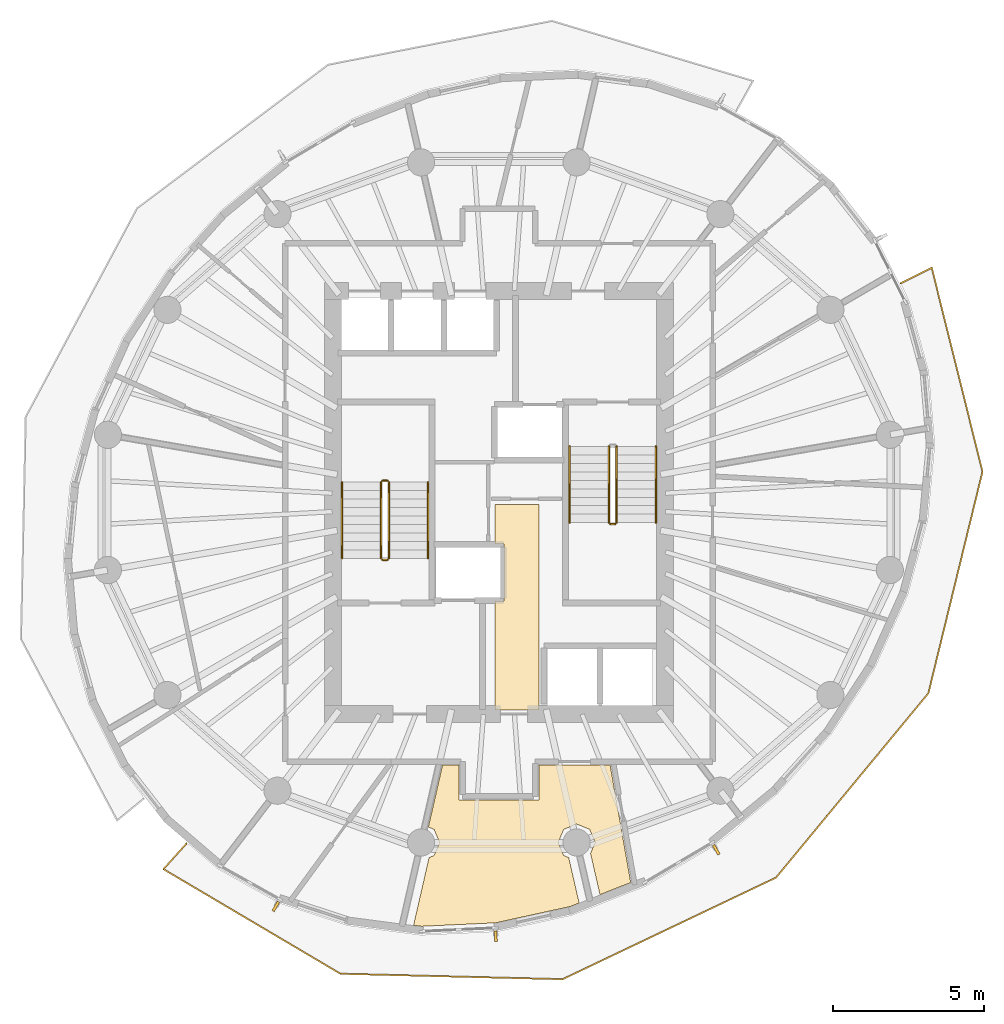
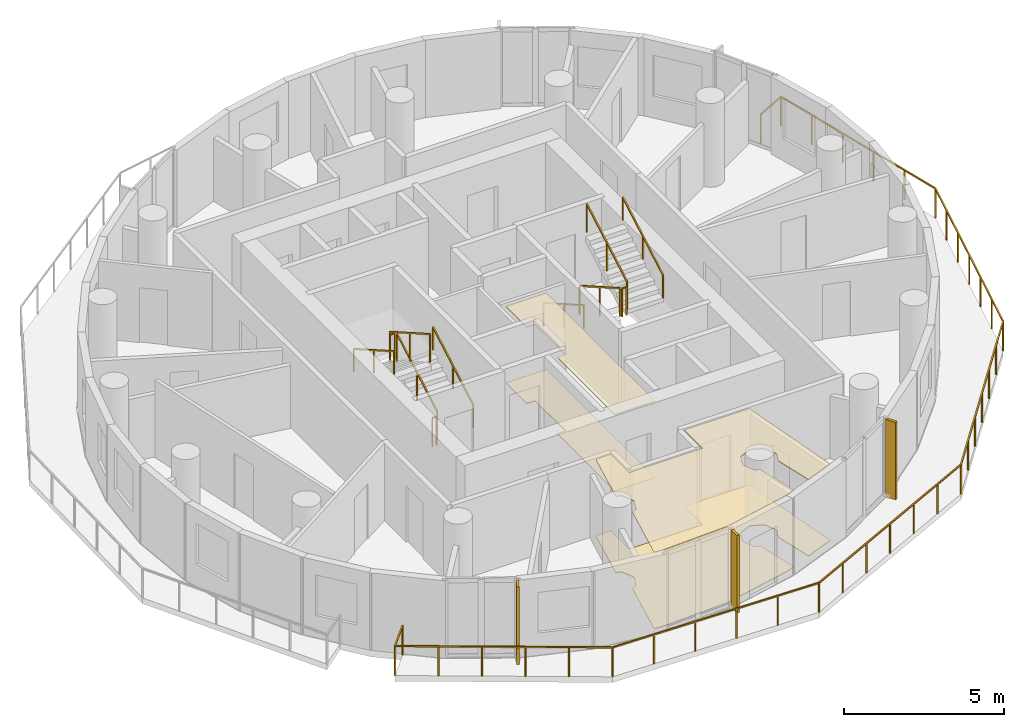
# One storey, part 8 of 10: 12 railings, 4 coverings, 3 shading devices.
"""IFC4 building model written with IfcOpenShell, lengths in metres."""

from ifc_helpers import new_model, si_unit, direction, frame, origin, origin_2d, place, context, subcontext, project, spatial, polyline, rectangle, outline, extrude, material, layer, layer_set, type_object, element, save


model = new_model("IFC4")

# Units and contexts
model_context = context("Model", 3, precision=1e-05, world=origin(), true_north=direction((0.0, 1.0)))
body_context = subcontext(model_context, "Body", "Model", "MODEL_VIEW")
ifc_project = project(units=[si_unit("LENGTHUNIT", "METRE"), si_unit("AREAUNIT", "SQUARE_METRE"), si_unit("VOLUMEUNIT", "CUBIC_METRE"), si_unit("PLANEANGLEUNIT", "RADIAN"), si_unit("MASSUNIT", "GRAM", prefix="KILO")], contexts=[model_context])

# Site, building, storey
site_placement = place(None, origin())
site = spatial("IfcSite", under=ifc_project, at=site_placement, CompositionType="ELEMENT")
building_placement = place(site_placement, origin())
building = spatial("IfcBuilding", under=site, at=building_placement, Name="Veldorim Arch Residences", CompositionType="ELEMENT")
storey_placement = place(building_placement, frame((0.0, 0.0, 182.239990234375)))
storey = spatial("IfcBuildingStorey", under=building, at=storey_placement, Name="L54", CompositionType="ELEMENT", Elevation=182.239990234375)

# Railings
ifc_material_1 = material(Name="Aluminium", Category="aluminium")
railing_type_1 = type_object("IfcRailingType", Name="Balcony & Terrace Laminated Glass Balustrade 1150", PredefinedType="BALUSTRADE", material=ifc_material_1)
railing_1_placement = place(storey_placement, frame((21.658935546875, 12.711669921875, 0.0)))
element("IfcRailing", 1, at=railing_1_placement, inside=storey, type_object=railing_type_1, Name="L54 crescent balcony safety balustrade B", PredefinedType="BALUSTRADE", context=body_context, shape_type="SweptSolid", body=[
    extrude(rectangle(XDim=0.048095703125, YDim=0.048095703125, at=origin_2d()), frame((0.0, 0.0, 1.1259765625), z_axis=(-0.66808459796, -0.744085324388, 0.0), x_axis=(0.744085324388, -0.66808459796, 0.0)), (0.0, 0.0, 1.0), 1.14990234375),
    extrude(rectangle(XDim=0.048095703125, YDim=0.048095703125, at=origin_2d()), frame((-0.768310546875, -0.855712890625, 1.1259765625), z_axis=(0.860900116689, -0.508774005906, 0.0), x_axis=(0.508774005906, 0.860900116689, 0.0)), (0.0, 0.0, 1.0), 6.809326171875),
    extrude(rectangle(XDim=0.048095703125, YDim=0.048095703125, at=origin_2d()), frame((5.09375, -4.320068359375, 1.1259765625), z_axis=(0.999695984702, -0.024656402212, 0.0), x_axis=(0.024656402212, 0.999695984702, 0.0)), (0.0, 0.0, 1.0), 7.35693359375),
    extrude(rectangle(XDim=0.048095703125, YDim=0.048095703125, at=origin_2d()), frame((12.448486328125, -4.50146484375, 1.1259765625), z_axis=(0.902919863623, 0.42980893415, 0.0), x_axis=(-0.42980893415, 0.902919863623, 0.0)), (0.0, 0.0, 1.0), 7.831298828125),
    extrude(rectangle(XDim=0.048095703125, YDim=0.048095703125, at=origin_2d()), frame((19.51953125, -1.135498046875, 1.1259765625), z_axis=(0.637052723353, 0.770820230449, 0.0), x_axis=(-0.770820230449, 0.637052723353, 0.0)), (0.0, 0.0, 1.0), 7.919189453125),
    extrude(rectangle(XDim=0.048095703125, YDim=0.048095703125, at=origin_2d()), frame((24.564453125, 4.96875, 1.1259765625), z_axis=(0.237118344411, 0.971480772195, 0.0), x_axis=(-0.971480772195, 0.237118344411, 0.0)), (0.0, 0.0, 1.0), 7.555419921875),
    extrude(rectangle(XDim=0.048095703125, YDim=0.048095703125, at=origin_2d()), frame((26.35595703125, 12.30859375, 1.1259765625), z_axis=(-0.241635413505, 0.970367109367, 0.0), x_axis=(-0.970367109367, -0.241635413505, 0.0)), (0.0, 0.0, 1.0), 6.956298828125),
    extrude(rectangle(XDim=0.048095703125, YDim=0.048095703125, at=origin_2d()), frame((24.675048828125, 19.058837890625, 1.1259765625), z_axis=(-0.895105555881, -0.445854285424, 0.0), x_axis=(0.445854285424, -0.895105555881, 0.0)), (0.0, 0.0, 1.0), 1.14990234375),
    extrude(rectangle(XDim=0.0419921875, YDim=0.0419921875, at=origin_2d()), origin(), (0.0, 0.0, 1.0), 1.101806640625),
    extrude(rectangle(XDim=0.0419921875, YDim=0.0419921875, at=origin_2d()), frame((-0.768310546875, -0.855712890625, 0.0)), (0.0, 0.0, 1.0), 1.101806640625),
    extrude(rectangle(XDim=0.0419921875, YDim=0.0419921875, at=origin_2d()), frame((0.404052734375, -1.548583984375, 0.0)), (0.0, 0.0, 1.0), 1.101806640625),
    extrude(rectangle(XDim=0.0419921875, YDim=0.0419921875, at=origin_2d()), frame((1.576416015625, -2.241455078125, 0.0)), (0.0, 0.0, 1.0), 1.101806640625),
    extrude(rectangle(XDim=0.0419921875, YDim=0.0419921875, at=origin_2d()), frame((2.7490234375, -2.934326171875, 0.0)), (0.0, 0.0, 1.0), 1.101806640625),
    extrude(rectangle(XDim=0.0419921875, YDim=0.0419921875, at=origin_2d()), frame((3.92138671875, -3.627197265625, 0.0)), (0.0, 0.0, 1.0), 1.101806640625),
    extrude(rectangle(XDim=0.0419921875, YDim=0.0419921875, at=origin_2d()), frame((5.09375, -4.320068359375, 0.0)), (0.0, 0.0, 1.0), 1.101806640625),
    extrude(rectangle(XDim=0.0419921875, YDim=0.0419921875, at=origin_2d()), frame((6.564697265625, -4.3564453125, 0.0)), (0.0, 0.0, 1.0), 1.101806640625),
    extrude(rectangle(XDim=0.0419921875, YDim=0.0419921875, at=origin_2d()), frame((8.03564453125, -4.392578125, 0.0)), (0.0, 0.0, 1.0), 1.101806640625),
    extrude(rectangle(XDim=0.0419921875, YDim=0.0419921875, at=origin_2d()), frame((9.506591796875, -4.428955078125, 0.0)), (0.0, 0.0, 1.0), 1.101806640625),
    extrude(rectangle(XDim=0.0419921875, YDim=0.0419921875, at=origin_2d()), frame((10.9775390625, -4.465087890625, 0.0)), (0.0, 0.0, 1.0), 1.101806640625),
    extrude(rectangle(XDim=0.0419921875, YDim=0.0419921875, at=origin_2d()), frame((12.448486328125, -4.50146484375, 0.0)), (0.0, 0.0, 1.0), 1.101806640625),
    extrude(rectangle(XDim=0.0419921875, YDim=0.0419921875, at=origin_2d()), frame((13.626953125, -3.9404296875, 0.0)), (0.0, 0.0, 1.0), 1.101806640625),
    extrude(rectangle(XDim=0.0419921875, YDim=0.0419921875, at=origin_2d()), frame((14.805419921875, -3.37939453125, 0.0)), (0.0, 0.0, 1.0), 1.101806640625),
    extrude(rectangle(XDim=0.0419921875, YDim=0.0419921875, at=origin_2d()), frame((15.98388671875, -2.818359375, 0.0)), (0.0, 0.0, 1.0), 1.101806640625),
    extrude(rectangle(XDim=0.0419921875, YDim=0.0419921875, at=origin_2d()), frame((17.16259765625, -2.257568359375, 0.0)), (0.0, 0.0, 1.0), 1.101806640625),
    extrude(rectangle(XDim=0.0419921875, YDim=0.0419921875, at=origin_2d()), frame((18.341064453125, -1.696533203125, 0.0)), (0.0, 0.0, 1.0), 1.101806640625),
    extrude(rectangle(XDim=0.0419921875, YDim=0.0419921875, at=origin_2d()), frame((19.51953125, -1.135498046875, 0.0)), (0.0, 0.0, 1.0), 1.101806640625),
    extrude(rectangle(XDim=0.0419921875, YDim=0.0419921875, at=origin_2d()), frame((20.3603515625, -0.1181640625, 0.0)), (0.0, 0.0, 1.0), 1.101806640625),
    extrude(rectangle(XDim=0.0419921875, YDim=0.0419921875, at=origin_2d()), frame((21.201171875, 0.899169921875, 0.0)), (0.0, 0.0, 1.0), 1.101806640625),
    extrude(rectangle(XDim=0.0419921875, YDim=0.0419921875, at=origin_2d()), frame((22.0419921875, 1.91650390625, 0.0)), (0.0, 0.0, 1.0), 1.101806640625),
    extrude(rectangle(XDim=0.0419921875, YDim=0.0419921875, at=origin_2d()), frame((22.8828125, 2.93408203125, 0.0)), (0.0, 0.0, 1.0), 1.101806640625),
    extrude(rectangle(XDim=0.0419921875, YDim=0.0419921875, at=origin_2d()), frame((23.7236328125, 3.951416015625, 0.0)), (0.0, 0.0, 1.0), 1.101806640625),
    extrude(rectangle(XDim=0.0419921875, YDim=0.0419921875, at=origin_2d()), frame((24.564453125, 4.96875, 0.0)), (0.0, 0.0, 1.0), 1.101806640625),
    extrude(rectangle(XDim=0.0419921875, YDim=0.0419921875, at=origin_2d()), frame((24.863037109375, 6.192138671875, 0.0)), (0.0, 0.0, 1.0), 1.101806640625),
    extrude(rectangle(XDim=0.0419921875, YDim=0.0419921875, at=origin_2d()), frame((25.16162109375, 7.415283203125, 0.0)), (0.0, 0.0, 1.0), 1.101806640625),
    extrude(rectangle(XDim=0.0419921875, YDim=0.0419921875, at=origin_2d()), frame((25.460205078125, 8.638671875, 0.0)), (0.0, 0.0, 1.0), 1.101806640625),
    extrude(rectangle(XDim=0.0419921875, YDim=0.0419921875, at=origin_2d()), frame((25.7587890625, 9.862060546875, 0.0)), (0.0, 0.0, 1.0), 1.101806640625),
    extrude(rectangle(XDim=0.0419921875, YDim=0.0419921875, at=origin_2d()), frame((26.057373046875, 11.085205078125, 0.0)), (0.0, 0.0, 1.0), 1.101806640625),
    extrude(rectangle(XDim=0.0419921875, YDim=0.0419921875, at=origin_2d()), frame((26.35595703125, 12.30859375, 0.0)), (0.0, 0.0, 1.0), 1.101806640625),
    extrude(rectangle(XDim=0.0419921875, YDim=0.0419921875, at=origin_2d()), frame((26.019775390625, 13.65869140625, 0.0)), (0.0, 0.0, 1.0), 1.101806640625),
    extrude(rectangle(XDim=0.0419921875, YDim=0.0419921875, at=origin_2d()), frame((25.68359375, 15.0087890625, 0.0)), (0.0, 0.0, 1.0), 1.101806640625),
    extrude(rectangle(XDim=0.0419921875, YDim=0.0419921875, at=origin_2d()), frame((25.347412109375, 16.358642578125, 0.0)), (0.0, 0.0, 1.0), 1.101806640625),
    extrude(rectangle(XDim=0.0419921875, YDim=0.0419921875, at=origin_2d()), frame((25.01123046875, 17.708740234375, 0.0)), (0.0, 0.0, 1.0), 1.101806640625),
    extrude(rectangle(XDim=0.0419921875, YDim=0.0419921875, at=origin_2d()), frame((24.675048828125, 19.058837890625, 0.0)), (0.0, 0.0, 1.0), 1.101806640625),
    extrude(rectangle(XDim=0.0419921875, YDim=0.0419921875, at=origin_2d()), frame((23.645751953125, 18.546142578125, 0.0)), (0.0, 0.0, 1.0), 1.101806640625),
])
ifc_material_2 = material(Name="Steel S355", Category="steel")
railing_type_2 = type_object("IfcRailingType", Name="Galvanised Steel Stair Safety Guardrail 1100", PredefinedType="GUARDRAIL", material=ifc_material_2)
railing_2_placement = place(storey_placement, frame((28.360107421875, 22.14990234375, 0.159912109375)))
element("IfcRailing", 2, at=railing_2_placement, inside=storey, type_object=railing_type_2, Name="L54 ST-1 stair guard 1", PredefinedType="GUARDRAIL", context=body_context, shape_type="SweptSolid", body=[
    extrude(rectangle(XDim=0.048095703125, YDim=0.048095703125, at=origin_2d()), frame((0.0, 0.0, 1.076171875), z_axis=(0.0, 0.868217259934, 0.496184229447), x_axis=(-1.0, 0.0, 0.0)), (0.0, 0.0, 1.0), 2.902587890625),
    extrude(rectangle(XDim=0.0419921875, YDim=0.0419921875, at=origin_2d()), origin(), (0.0, 0.0, 1.0), 1.052001953125),
    extrude(rectangle(XDim=0.0419921875, YDim=0.0419921875, at=origin_2d()), frame((0.0, 1.260009765625, 0.72021484375)), (0.0, 0.0, 1.0), 1.052001953125),
    extrude(rectangle(XDim=0.0419921875, YDim=0.0419921875, at=origin_2d()), frame((0.0, 2.52001953125, 1.440185546875)), (0.0, 0.0, 1.0), 1.052001953125),
])
railing_3_placement = place(storey_placement, frame((28.31005859375, 24.719970703125, 1.60009765625)))
element("IfcRailing", 3, at=railing_3_placement, inside=storey, type_object=railing_type_2, Name="L54 ST-1 stair guard 2", PredefinedType="GUARDRAIL", context=body_context, shape_type="SweptSolid", body=[
    extrude(rectangle(XDim=0.048095703125, YDim=0.048095703125, at=origin_2d()), frame((0.0, 0.0, 1.076171875), z_axis=(-1.0, 0.0, 0.0), x_axis=(0.0, -1.0, 0.0)), (0.0, 0.0, 1.0), 0.16015625),
    extrude(rectangle(XDim=0.0419921875, YDim=0.0419921875, at=origin_2d()), origin(), (0.0, 0.0, 1.0), 1.052001953125),
    extrude(rectangle(XDim=0.0419921875, YDim=0.0419921875, at=origin_2d()), frame((-0.16015625, 0.0, 0.0)), (0.0, 0.0, 1.0), 1.052001953125),
])
railing_4_placement = place(storey_placement, frame((28.10009765625, 24.669921875, 1.760009765625)))
element("IfcRailing", 4, at=railing_4_placement, inside=storey, type_object=railing_type_2, Name="L54 ST-1 stair guard 3", PredefinedType="GUARDRAIL", context=body_context, shape_type="SweptSolid", body=[
    extrude(rectangle(XDim=0.048095703125, YDim=0.048095703125, at=origin_2d()), frame((0.0, 0.0, 1.076171875), z_axis=(0.0, -0.868253494771, 0.496120820787), x_axis=(1.0, 0.0, 0.0)), (0.0, 0.0, 1.0), 2.90234375),
    extrude(rectangle(XDim=0.0419921875, YDim=0.0419921875, at=origin_2d()), origin(), (0.0, 0.0, 1.0), 1.052001953125),
    extrude(rectangle(XDim=0.0419921875, YDim=0.0419921875, at=origin_2d()), frame((0.0, -1.260009765625, 0.719970703125)), (0.0, 0.0, 1.0), 1.052001953125),
    extrude(rectangle(XDim=0.0419921875, YDim=0.0419921875, at=origin_2d()), frame((0.0, -2.52001953125, 1.43994140625)), (0.0, 0.0, 1.0), 1.052001953125),
])
railing_5_placement = place(storey_placement, frame((28.31005859375, 22.10009765625, 0.0)))
element("IfcRailing", 5, at=railing_5_placement, inside=storey, type_object=railing_type_2, Name="L54 ST-1 stair guard 4", PredefinedType="GUARDRAIL", context=body_context, shape_type="SweptSolid", body=[
    extrude(rectangle(XDim=0.048095703125, YDim=0.048095703125, at=origin_2d()), frame((0.0, 0.0, 1.076171875), z_axis=(-1.0, 0.0, 0.0), x_axis=(0.0, -1.0, 0.0)), (0.0, 0.0, 1.0), 0.16015625),
    extrude(rectangle(XDim=0.0419921875, YDim=0.0419921875, at=origin_2d()), origin(), (0.0, 0.0, 1.0), 1.052001953125),
    extrude(rectangle(XDim=0.0419921875, YDim=0.0419921875, at=origin_2d()), frame((-0.16015625, 0.0, 0.0)), (0.0, 0.0, 1.0), 1.052001953125),
])
railing_6_placement = place(storey_placement, frame((35.639892578125, 25.85009765625, 0.159912109375)))
element("IfcRailing", 6, at=railing_6_placement, inside=storey, type_object=railing_type_2, Name="L54 ST-2 stair guard 1", PredefinedType="GUARDRAIL", context=body_context, shape_type="SweptSolid", body=[
    extrude(rectangle(XDim=0.048095703125, YDim=0.048095703125, at=origin_2d()), frame((0.0, 0.0, 1.076171875), z_axis=(0.0, -0.868217259934, 0.496184229447), x_axis=(1.0, 0.0, 0.0)), (0.0, 0.0, 1.0), 2.902587890625),
    extrude(rectangle(XDim=0.0419921875, YDim=0.0419921875, at=origin_2d()), origin(), (0.0, 0.0, 1.0), 1.052001953125),
    extrude(rectangle(XDim=0.0419921875, YDim=0.0419921875, at=origin_2d()), frame((0.0, -1.260009765625, 0.72021484375)), (0.0, 0.0, 1.0), 1.052001953125),
    extrude(rectangle(XDim=0.0419921875, YDim=0.0419921875, at=origin_2d()), frame((0.0, -2.52001953125, 1.440185546875)), (0.0, 0.0, 1.0), 1.052001953125),
])
railing_7_placement = place(storey_placement, frame((35.68994140625, 23.280029296875, 1.60009765625)))
element("IfcRailing", 7, at=railing_7_placement, inside=storey, type_object=railing_type_2, Name="L54 ST-2 stair guard 2", PredefinedType="GUARDRAIL", context=body_context, shape_type="SweptSolid", body=[
    extrude(rectangle(XDim=0.048095703125, YDim=0.048095703125, at=origin_2d()), frame((0.0, 0.0, 1.076171875), z_axis=(1.0, 0.0, 0.0), x_axis=(0.0, 1.0, 0.0)), (0.0, 0.0, 1.0), 0.16015625),
    extrude(rectangle(XDim=0.0419921875, YDim=0.0419921875, at=origin_2d()), origin(), (0.0, 0.0, 1.0), 1.052001953125),
    extrude(rectangle(XDim=0.0419921875, YDim=0.0419921875, at=origin_2d()), frame((0.16015625, 0.0, 0.0)), (0.0, 0.0, 1.0), 1.052001953125),
])
railing_8_placement = place(storey_placement, frame((35.89990234375, 23.330078125, 1.760009765625)))
element("IfcRailing", 8, at=railing_8_placement, inside=storey, type_object=railing_type_2, Name="L54 ST-2 stair guard 3", PredefinedType="GUARDRAIL", context=body_context, shape_type="SweptSolid", body=[
    extrude(rectangle(XDim=0.048095703125, YDim=0.048095703125, at=origin_2d()), frame((0.0, 0.0, 1.076171875), z_axis=(0.0, 0.868253494771, 0.496120820787), x_axis=(-1.0, 0.0, 0.0)), (0.0, 0.0, 1.0), 2.90234375),
    extrude(rectangle(XDim=0.0419921875, YDim=0.0419921875, at=origin_2d()), origin(), (0.0, 0.0, 1.0), 1.052001953125),
    extrude(rectangle(XDim=0.0419921875, YDim=0.0419921875, at=origin_2d()), frame((0.0, 1.260009765625, 0.719970703125)), (0.0, 0.0, 1.0), 1.052001953125),
    extrude(rectangle(XDim=0.0419921875, YDim=0.0419921875, at=origin_2d()), frame((0.0, 2.52001953125, 1.43994140625)), (0.0, 0.0, 1.0), 1.052001953125),
])

# Coverings
ifc_material_3 = material(Name="Acoustic Gypsum & Mineral Fibre", Category="gypsum")
ifc_layer_1 = layer(ifc_material_3, 0.034912109375, Name="Perforated Acoustic Mineral-Fibre Ceiling 35")
ifc_layer_set_1 = layer_set([ifc_layer_1], Name="Acoustic Gypsum & Mineral Fibre")
covering_type_1 = type_object("IfcCoveringType", Name="Perforated Acoustic Mineral-Fibre Ceiling 35", PredefinedType="CEILING", material=ifc_layer_set_1)
covering_1_placement = place(storey_placement, frame((0.0, 0.0, 2.905029296875)))
element("IfcCovering", 9, at=covering_1_placement, inside=storey, type_object=covering_type_1, Name="L54 acoustic suspended ceiling 01", PredefinedType="CEILING", context=body_context, shape_type="SweptSolid", body=[
    extrude(outline(polyline([(33.330078125, 23.929931640625), (33.330078125, 17.1201171875), (31.8701171875, 17.1201171875), (31.8701171875, 20.735107421875), (32.169921875, 20.735107421875), (32.169921875, 22.625), (31.8701171875, 22.625), (31.8701171875, 23.929931640625), (33.330078125, 23.929931640625)])), origin(), (0.0, 0.0, 1.0), 0.034912109375),
])
covering_2_placement = place(storey_placement, frame((0.0, 0.0, 2.905029296875)))
element("IfcCovering", 10, at=covering_2_placement, inside=storey, type_object=covering_type_1, Name="L54 acoustic suspended ceiling 02", PredefinedType="CEILING", context=body_context, shape_type="SweptSolid", body=[
    extrude(outline(polyline([(35.18505859375, 12.740478515625), (35.006591796875, 13.171875), (34.5751953125, 13.3505859375), (34.143798828125, 13.171875), (33.96533203125, 12.740478515625), (34.143798828125, 12.309326171875), (34.312744140625, 12.239501953125), (34.65625, 10.73779296875), (34.350830078125, 10.61669921875), (31.89111328125, 10.078369140625), (29.4365234375, 9.963623046875), (29.174560546875, 9.998046875), (29.687255859375, 12.239501953125), (29.856201171875, 12.309326171875), (30.03466796875, 12.740478515625), (29.856201171875, 13.171875), (29.664794921875, 13.251220703125), (30.13330078125, 15.300048828125), (30.679931640625, 15.300048828125), (30.679931640625, 14.14990234375), (33.320068359375, 14.14990234375), (33.320068359375, 15.300048828125), (35.684326171875, 15.300048828125), (36.365234375, 11.414794921875), (35.34765625, 11.01171875), (35.034912109375, 12.37841796875), (35.18505859375, 12.740478515625)])), origin(), (0.0, 0.0, 1.0), 0.034912109375),
])
ifc_material_4 = material(Name="Porcelain Ceramic Tile", Category="ceramic")
ifc_layer_2 = layer(ifc_material_4, 0.02001953125, Name="Slip-Resistant Porcelain & Vinyl Floor Finish 20")
ifc_layer_set_2 = layer_set([ifc_layer_2], Name="Porcelain Ceramic Tile")
covering_type_2 = type_object("IfcCoveringType", Name="Slip-Resistant Porcelain & Vinyl Floor Finish 20", PredefinedType="FLOORING", material=ifc_layer_set_2)
covering_3_placement = place(storey_placement, origin())
element("IfcCovering", 11, at=covering_3_placement, inside=storey, type_object=covering_type_2, Name="L54 porcelain floor finish 01", PredefinedType="FLOORING", context=body_context, shape_type="SweptSolid", body=[
    extrude(outline(polyline([(33.330078125, 23.929931640625), (33.330078125, 17.1201171875), (31.8701171875, 17.1201171875), (31.8701171875, 20.735107421875), (32.169921875, 20.735107421875), (32.169921875, 22.625), (31.8701171875, 22.625), (31.8701171875, 23.929931640625), (33.330078125, 23.929931640625)])), origin(), (0.0, 0.0, 1.0), 0.02001953125),
])
covering_4_placement = place(storey_placement, origin())
element("IfcCovering", 12, at=covering_4_placement, inside=storey, type_object=covering_type_2, Name="L54 porcelain floor finish 02", PredefinedType="FLOORING", context=body_context, shape_type="SweptSolid", body=[
    extrude(outline(polyline([(35.18505859375, 12.740478515625), (35.006591796875, 13.171875), (34.5751953125, 13.3505859375), (34.143798828125, 13.171875), (33.96533203125, 12.740478515625), (34.143798828125, 12.309326171875), (34.312744140625, 12.239501953125), (34.65625, 10.73779296875), (34.350830078125, 10.61669921875), (31.89111328125, 10.078369140625), (29.4365234375, 9.963623046875), (29.174560546875, 9.998046875), (29.687255859375, 12.239501953125), (29.856201171875, 12.309326171875), (30.03466796875, 12.740478515625), (29.856201171875, 13.171875), (29.664794921875, 13.251220703125), (30.13330078125, 15.300048828125), (30.679931640625, 15.300048828125), (30.679931640625, 14.14990234375), (33.320068359375, 14.14990234375), (33.320068359375, 15.300048828125), (35.684326171875, 15.300048828125), (36.365234375, 11.414794921875), (35.34765625, 11.01171875), (35.034912109375, 12.37841796875), (35.18505859375, 12.740478515625)])), origin(), (0.0, 0.0, 1.0), 0.02001953125),
])

# Railings
ifc_material_5 = material(Name="Stainless Steel", Category="steel")
railing_type_3 = type_object("IfcRailingType", Name="Tubular Steel Continuous Wall Handrail 900", PredefinedType="HANDRAIL", material=ifc_material_5)
railing_9_placement = place(storey_placement, frame((29.659912109375, 22.14990234375, 0.159912109375)))
element("IfcRailing", 13, at=railing_9_placement, inside=storey, type_object=railing_type_3, Name="L54 ST-1 stair handrail 1", PredefinedType="HANDRAIL", context=body_context, shape_type="SweptSolid", body=[
    extrude(rectangle(XDim=0.048095703125, YDim=0.048095703125, at=origin_2d()), frame((0.0, 0.0, 0.8759765625), z_axis=(0.0, 0.868217259934, 0.496184229447), x_axis=(-1.0, 0.0, 0.0)), (0.0, 0.0, 1.0), 2.902587890625),
    extrude(rectangle(XDim=0.0419921875, YDim=0.0419921875, at=origin_2d()), origin(), (0.0, 0.0, 1.0), 0.851806640625),
    extrude(rectangle(XDim=0.0419921875, YDim=0.0419921875, at=origin_2d()), frame((0.0, 1.260009765625, 0.72021484375)), (0.0, 0.0, 1.0), 0.851806640625),
    extrude(rectangle(XDim=0.0419921875, YDim=0.0419921875, at=origin_2d()), frame((0.0, 2.52001953125, 1.440185546875)), (0.0, 0.0, 1.0), 0.851806640625),
])
railing_10_placement = place(storey_placement, frame((26.800048828125, 24.669921875, 1.760009765625)))
element("IfcRailing", 14, at=railing_10_placement, inside=storey, type_object=railing_type_3, Name="L54 ST-1 stair handrail 2", PredefinedType="HANDRAIL", context=body_context, shape_type="SweptSolid", body=[
    extrude(rectangle(XDim=0.048095703125, YDim=0.048095703125, at=origin_2d()), frame((0.0, 0.0, 0.8759765625), z_axis=(0.0, -0.868253494771, 0.496120820787), x_axis=(1.0, 0.0, 0.0)), (0.0, 0.0, 1.0), 2.90234375),
    extrude(rectangle(XDim=0.0419921875, YDim=0.0419921875, at=origin_2d()), origin(), (0.0, 0.0, 1.0), 0.851806640625),
    extrude(rectangle(XDim=0.0419921875, YDim=0.0419921875, at=origin_2d()), frame((0.0, -1.260009765625, 0.719970703125)), (0.0, 0.0, 1.0), 0.851806640625),
    extrude(rectangle(XDim=0.0419921875, YDim=0.0419921875, at=origin_2d()), frame((0.0, -2.52001953125, 1.43994140625)), (0.0, 0.0, 1.0), 0.851806640625),
])
railing_11_placement = place(storey_placement, frame((34.340087890625, 25.85009765625, 0.159912109375)))
element("IfcRailing", 15, at=railing_11_placement, inside=storey, type_object=railing_type_3, Name="L54 ST-2 stair handrail 1", PredefinedType="HANDRAIL", context=body_context, shape_type="SweptSolid", body=[
    extrude(rectangle(XDim=0.048095703125, YDim=0.048095703125, at=origin_2d()), frame((0.0, 0.0, 0.8759765625), z_axis=(0.0, -0.868217259934, 0.496184229447), x_axis=(1.0, 0.0, 0.0)), (0.0, 0.0, 1.0), 2.902587890625),
    extrude(rectangle(XDim=0.0419921875, YDim=0.0419921875, at=origin_2d()), origin(), (0.0, 0.0, 1.0), 0.851806640625),
    extrude(rectangle(XDim=0.0419921875, YDim=0.0419921875, at=origin_2d()), frame((0.0, -1.260009765625, 0.72021484375)), (0.0, 0.0, 1.0), 0.851806640625),
    extrude(rectangle(XDim=0.0419921875, YDim=0.0419921875, at=origin_2d()), frame((0.0, -2.52001953125, 1.440185546875)), (0.0, 0.0, 1.0), 0.851806640625),
])
railing_12_placement = place(storey_placement, frame((37.199951171875, 23.330078125, 1.760009765625)))
element("IfcRailing", 16, at=railing_12_placement, inside=storey, type_object=railing_type_3, Name="L54 ST-2 stair handrail 2", PredefinedType="HANDRAIL", context=body_context, shape_type="SweptSolid", body=[
    extrude(rectangle(XDim=0.048095703125, YDim=0.048095703125, at=origin_2d()), frame((0.0, 0.0, 0.8759765625), z_axis=(0.0, 0.868253494771, 0.496120820787), x_axis=(-1.0, 0.0, 0.0)), (0.0, 0.0, 1.0), 2.90234375),
    extrude(rectangle(XDim=0.0419921875, YDim=0.0419921875, at=origin_2d()), origin(), (0.0, 0.0, 1.0), 0.851806640625),
    extrude(rectangle(XDim=0.0419921875, YDim=0.0419921875, at=origin_2d()), frame((0.0, 1.260009765625, 0.719970703125)), (0.0, 0.0, 1.0), 0.851806640625),
    extrude(rectangle(XDim=0.0419921875, YDim=0.0419921875, at=origin_2d()), frame((0.0, 2.52001953125, 1.43994140625)), (0.0, 0.0, 1.0), 0.851806640625),
])

# Shading devices
ifc_material_6 = material(Name="Terracotta Ceramic", Category="masonry")
ifc_layer_3 = layer(ifc_material_6, 0.090087890625, Name="Vertical Extruded Terracotta Baguette Sun-Shading Fin")
ifc_layer_set_3 = layer_set([ifc_layer_3], Name="Terracotta Ceramic")
shading_device_type = type_object("IfcShadingDeviceType", Name="Vertical Extruded Terracotta Baguette Sun-Shading Fin", PredefinedType="USERDEFINED", material=ifc_layer_set_3)
for number, where, z_axis, x_axis, name in (
    (17, (24.61328125, 10.621826171875, 0.0), (0.0, 0.0, 1.0), (-0.873007211547, 0.487707298065, 0.0), "L54 vertical terracotta sun-shading fin 20"),
    (18, (31.896240234375, 9.635498046875, 0.0), (0.0, 0.0, 1.0), (-0.998906257359, -0.046757769503, 0.0), "L54 vertical terracotta sun-shading fin 23"),
    (19, (39.196044921875, 12.499755859375, 0.0), (0.0, 0.0, 1.0), (-0.861097195167, -0.508440380454, 0.0), "L54 vertical terracotta sun-shading fin 26"),
):
    element("IfcShadingDevice", number, at=place(storey_placement, frame(where, z_axis=z_axis, x_axis=x_axis)), inside=storey, type_object=shading_device_type, Name=name, ObjectType="FIN", PredefinedType="USERDEFINED", context=body_context, shape_type="SweptSolid", body=[
        extrude(rectangle(XDim=0.090087890625, YDim=0.360107421875, at=origin_2d()), origin(), (0.0, 0.0, 1.0), 2.9599609375),
    ])

save(model, "model.ifc")
